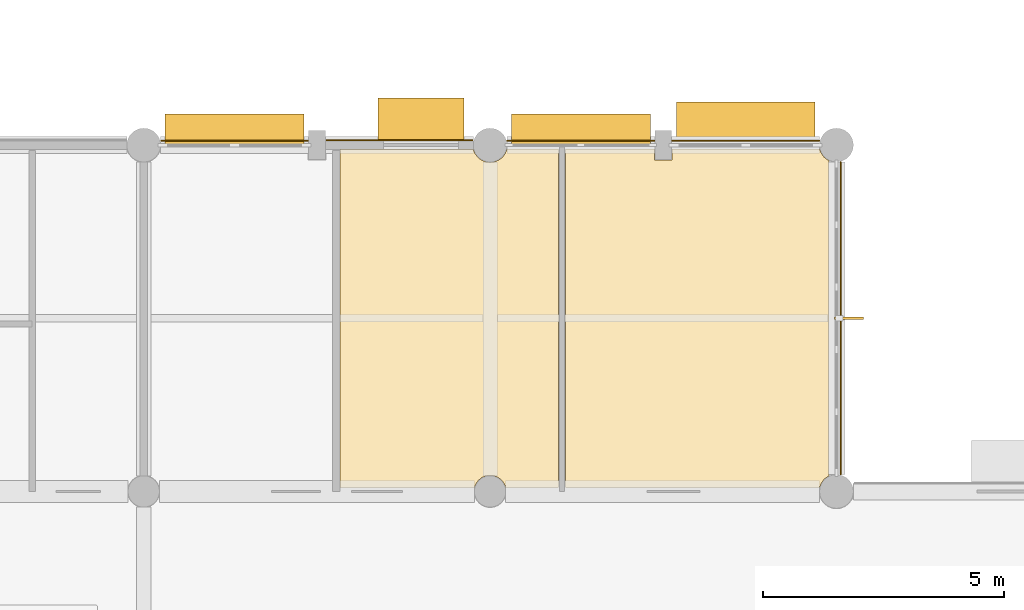
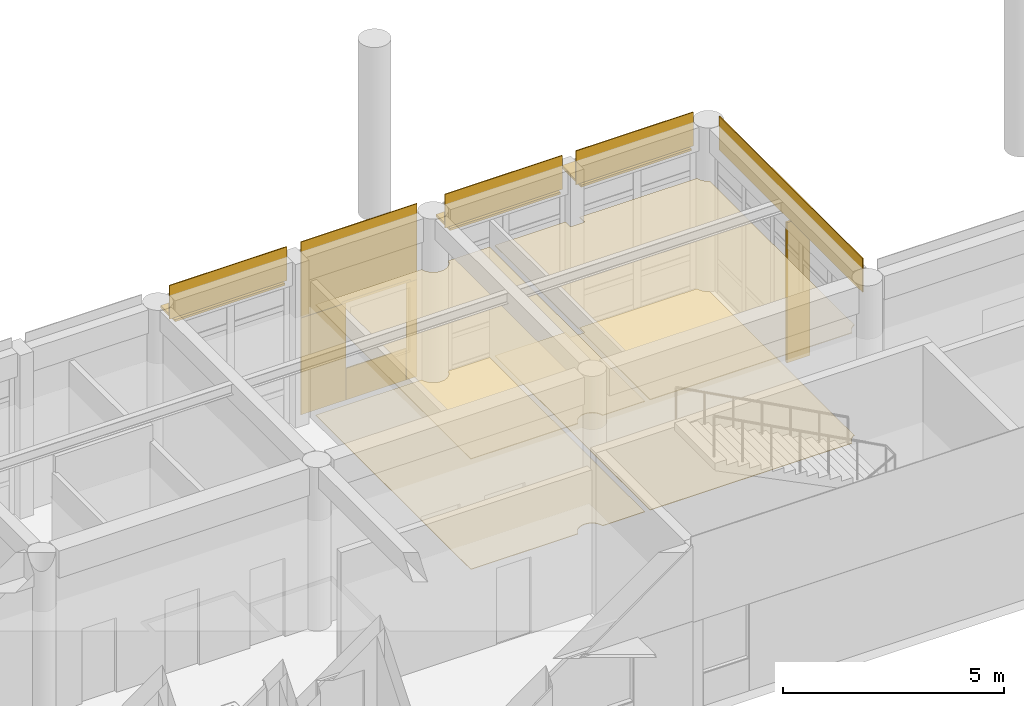
# One storey, part 87 of 92: 12 coverings, 5 shading devices.
"""IFC4 building model written with IfcOpenShell, lengths in metres."""

from ifc_helpers import new_model, si_unit, direction, frame, origin, origin_2d, place, context, subcontext, project, spatial, polyline, rectangle, outline, extrude, material, layer, layer_set, type_object, element, save


model = new_model("IFC4")

# Units and contexts
model_context = context("Model", 3, precision=1e-05, world=origin(), true_north=direction((0.0, 1.0)))
body_context = subcontext(model_context, "Body", "Model", "MODEL_VIEW")
ifc_project = project(units=[si_unit("LENGTHUNIT", "METRE"), si_unit("AREAUNIT", "SQUARE_METRE"), si_unit("VOLUMEUNIT", "CUBIC_METRE"), si_unit("PLANEANGLEUNIT", "RADIAN"), si_unit("MASSUNIT", "GRAM", prefix="KILO")], contexts=[model_context])

# Site, building, storey
site_placement = place(None, origin())
site = spatial("IfcSite", under=ifc_project, at=site_placement, CompositionType="ELEMENT")
building_placement = place(site_placement, origin())
building = spatial("IfcBuilding", under=site, at=building_placement, Name="Namkhue Oval Health Centre", CompositionType="ELEMENT")
storey_placement = place(building_placement, frame((0.0, 0.0, 4.800048828125)))
storey = spatial("IfcBuildingStorey", under=building, at=storey_placement, Name="L01", CompositionType="ELEMENT", Elevation=4.800048828125)

# Coverings
ifc_material_1 = material(Name="Acoustic mineral-fibre cleanroom ceiling", Category="gypsum")
ifc_layer_1 = layer(ifc_material_1, 0.02001953125)
ifc_layer_set_1 = layer_set([ifc_layer_1], Name="Acoustic mineral-fibre cleanroom ceiling")
covering_type_1 = type_object("IfcCoveringType", Name="ACOUSTIC CLEANROOM CEILING 20", PredefinedType="CEILING", material=ifc_layer_set_1)
covering_1_placement = place(storey_placement, frame((0.0, 0.0, 3.050048828125)))
element("IfcCovering", 1, at=covering_1_placement, inside=storey, type_object=covering_type_1, Name="Acoustic Ceiling L01-307 ENT Minor Procedure Room", PredefinedType="CEILING", context=body_context, shape_type="SweptSolid", body=[
    extrude(outline(polyline([(115.5244140625, 97.280029296875), (115.489990234375, 97.367431640625), (115.43701171875, 97.43701171875), (115.367431640625, 97.489990234375), (115.28662109375, 97.523681640625), (115.199951171875, 97.534912109375), (115.11328125, 97.523681640625), (115.032470703125, 97.489990234375), (114.963134765625, 97.43701171875), (114.909912109375, 97.367431640625), (114.87548828125, 97.280029296875), (112.074951171875, 97.280029296875), (112.074951171875, 104.31494140625), (114.851318359375, 104.31494140625), (114.88818359375, 104.219970703125), (114.9453125, 104.1455078125), (115.02001953125, 104.088134765625), (115.106689453125, 104.05224609375), (115.199951171875, 104.0400390625), (115.293212890625, 104.05224609375), (115.3798828125, 104.088134765625), (115.45458984375, 104.1455078125), (115.51171875, 104.219970703125), (115.548828125, 104.31494140625), (116.625, 104.31494140625), (116.625, 97.280029296875), (115.5244140625, 97.280029296875)])), origin(), (0.0, 0.0, 1.0), 0.02001953125),
])
covering_2_placement = place(storey_placement, frame((0.0, 0.0, 3.050048828125)))
element("IfcCovering", 2, at=covering_2_placement, inside=storey, type_object=covering_type_1, Name="Acoustic Ceiling L01-308 Neurology Consultation Room", PredefinedType="CEILING", context=body_context, shape_type="SweptSolid", body=[
    extrude(outline(polyline([(116.764892578125, 97.280029296875), (116.764892578125, 104.31494140625), (118.614990234375, 104.31494140625), (118.614990234375, 104.090087890625), (118.985107421875, 104.090087890625), (118.985107421875, 104.31494140625), (122.05126953125, 104.31494140625), (122.088134765625, 104.219970703125), (122.1455078125, 104.1455078125), (122.219970703125, 104.088134765625), (122.2451171875, 104.077880859375), (122.2451171875, 97.522216796875), (122.219970703125, 97.51171875), (122.1455078125, 97.45458984375), (122.088134765625, 97.3798828125), (122.05224609375, 97.293212890625), (122.050537109375, 97.280029296875), (116.764892578125, 97.280029296875)])), origin(), (0.0, 0.0, 1.0), 0.02001953125),
])
ifc_material_2 = material(Name="Homogeneous anti-bacterial clinical vinyl flooring", Category="plastic")
ifc_layer_2 = layer(ifc_material_2, 0.014892578125)
ifc_layer_set_2 = layer_set([ifc_layer_2], Name="Homogeneous anti-bacterial clinical vinyl flooring")
covering_type_2 = type_object("IfcCoveringType", Name="CLINICAL ANTIBACTERIAL VINYL FLOORING 15", PredefinedType="FLOORING", material=ifc_layer_set_2)
covering_3_placement = place(storey_placement, origin())
element("IfcCovering", 3, at=covering_3_placement, inside=storey, type_object=covering_type_2, Name="Clinical Flooring L01-307 ENT Minor Procedure Room", PredefinedType="FLOORING", context=body_context, shape_type="SweptSolid", body=[
    extrude(outline(polyline([(115.5244140625, 97.280029296875), (115.489990234375, 97.367431640625), (115.43701171875, 97.43701171875), (115.367431640625, 97.489990234375), (115.28662109375, 97.523681640625), (115.199951171875, 97.534912109375), (115.11328125, 97.523681640625), (115.032470703125, 97.489990234375), (114.963134765625, 97.43701171875), (114.909912109375, 97.367431640625), (114.87548828125, 97.280029296875), (112.074951171875, 97.280029296875), (112.074951171875, 104.31494140625), (114.851318359375, 104.31494140625), (114.88818359375, 104.219970703125), (114.9453125, 104.1455078125), (115.02001953125, 104.088134765625), (115.106689453125, 104.05224609375), (115.199951171875, 104.0400390625), (115.293212890625, 104.05224609375), (115.3798828125, 104.088134765625), (115.45458984375, 104.1455078125), (115.51171875, 104.219970703125), (115.548828125, 104.31494140625), (116.625, 104.31494140625), (116.625, 97.280029296875), (115.5244140625, 97.280029296875)])), origin(), (0.0, 0.0, 1.0), 0.014892578125),
])
covering_4_placement = place(storey_placement, origin())
element("IfcCovering", 4, at=covering_4_placement, inside=storey, type_object=covering_type_2, Name="Clinical Flooring L01-308 Neurology Consultation Room", PredefinedType="FLOORING", context=body_context, shape_type="SweptSolid", body=[
    extrude(outline(polyline([(116.764892578125, 97.280029296875), (116.764892578125, 104.31494140625), (118.614990234375, 104.31494140625), (118.614990234375, 104.090087890625), (118.985107421875, 104.090087890625), (118.985107421875, 104.31494140625), (122.05126953125, 104.31494140625), (122.088134765625, 104.219970703125), (122.1455078125, 104.1455078125), (122.219970703125, 104.088134765625), (122.2451171875, 104.077880859375), (122.2451171875, 97.522216796875), (122.219970703125, 97.51171875), (122.1455078125, 97.45458984375), (122.088134765625, 97.3798828125), (122.05224609375, 97.293212890625), (122.050537109375, 97.280029296875), (116.764892578125, 97.280029296875)])), origin(), (0.0, 0.0, 1.0), 0.014892578125),
])

# Shading devices
ifc_material_3 = material(Name="Anodised aluminium EN AW-6063 T6", Category="aluminium")
ifc_layer_3 = layer(ifc_material_3, 0.06005859375)
ifc_layer_set_3 = layer_set([ifc_layer_3], Name="Anodised aluminium EN AW-6063 T6")
shading_device_type_1 = type_object("IfcShadingDeviceType", Name="MONSOON SUN LOUVRE 900", PredefinedType="JALOUSIE", material=ifc_layer_set_3)
shading_device_1_placement = place(storey_placement, frame((120.512939453125, 104.85009765625, 3.809814453125), z_axis=(0.0, 0.0, 1.0), x_axis=(-1.0, 0.0, 0.0)))
element("IfcShadingDevice", 5, at=shading_device_1_placement, inside=storey, type_object=shading_device_type_1, Name="Volume V3 L01 Horizontal Monsoon Sun Louvre 136", PredefinedType="JALOUSIE", context=body_context, shape_type="SweptSolid", body=[
    extrude(rectangle(XDim=2.884033203125, YDim=0.89990234375, at=origin_2d()), origin(), (0.0, 0.0, 1.0), 0.06005859375),
])
shading_device_2_placement = place(storey_placement, frame((113.762939453125, 104.929931640625, 2.699951171875), z_axis=(0.0, 0.0, 1.0), x_axis=(-1.0, 0.0, 0.0)))
element("IfcShadingDevice", 6, at=shading_device_2_placement, inside=storey, type_object=shading_device_type_1, Name="Volume V3 L01 Window Monsoon Louvre 138", PredefinedType="JALOUSIE", context=body_context, shape_type="SweptSolid", body=[
    extrude(rectangle(XDim=1.7900390625, YDim=0.89990234375, at=origin_2d()), origin(), (0.0, 0.0, 1.0), 0.06005859375),
])
ifc_layer_4 = layer(ifc_material_3, 0.050048828125)
ifc_layer_set_4 = layer_set([ifc_layer_4], Name="Anodised aluminium EN AW-6063 T6")
shading_device_type_2 = type_object("IfcShadingDeviceType", Name="STORM SHUTTER LOUVRE 650", PredefinedType="SHUTTER", material=ifc_layer_set_4)
for number, where, z_axis, x_axis, name in (
    (7, (117.0869140625, 104.72509765625, 3.809814453125), (0.0, 0.0, 1.0), (-1.0, 0.0, 0.0), "Volume V3 L01 Horizontal Monsoon Sun Louvre 137"),
    (8, (109.886962890625, 104.72509765625, 3.809814453125), (0.0, 0.0, 1.0), (-1.0, 0.0, 0.0), "Volume V3 L01 Horizontal Monsoon Sun Louvre 139"),
):
    element("IfcShadingDevice", number, at=place(storey_placement, frame(where, z_axis=z_axis, x_axis=x_axis)), inside=storey, type_object=shading_device_type_2, Name=name, PredefinedType="SHUTTER", context=body_context, shape_type="SweptSolid", body=[
        extrude(rectangle(XDim=2.884033203125, YDim=0.64990234375, at=origin_2d()), origin(), (0.0, 0.0, 1.0), 0.06005859375),
    ])
shading_device_type_3 = type_object("IfcShadingDeviceType", Name="VERTICAL SOLAR FIN 600", PredefinedType="USERDEFINED", material=ifc_material_3)
shading_device_3_placement = place(storey_placement, frame((122.659912109375, 100.800048828125, 0.0), z_axis=(0.0, 0.0, 1.0), x_axis=(1.0, 0.0, 0.0)))
element("IfcShadingDevice", 9, at=shading_device_3_placement, inside=storey, type_object=shading_device_type_3, Name="Volume V3 L01 Extruded Aluminium Solar Fin 135", ObjectType="SOLAR FIN", PredefinedType="USERDEFINED", context=body_context, shape_type="SweptSolid", body=[
    extrude(rectangle(XDim=0.60009765625, YDim=0.06005859375, at=origin_2d()), origin(), (0.0, 0.0, 1.0), 3.8798828125),
])

# Coverings
ifc_material_4 = material(Name="White glass-fibre reinforced concrete GRC rainscreen cladding", Category="concrete")
ifc_layer_5 = layer(ifc_material_4, 0.02490234375)
ifc_layer_set_5 = layer_set([ifc_layer_5], Name="White glass-fibre reinforced concrete GRC rainscreen cladding")
covering_type_3 = type_object("IfcCoveringType", Name="WHITE GRC RAINSCREEN CLADDING 25", PredefinedType="CLADDING", material=ifc_layer_set_5)
covering_5_placement = place(storey_placement, frame((122.488525390625, 100.800048828125, 3.864990234375), z_axis=(0.0, 0.0, 1.0), x_axis=(0.0, 1.0, 0.0)))
element("IfcCovering", 10, at=covering_5_placement, inside=storey, type_object=covering_type_3, Name="Volume V3 L01 Curtain Wall Spandrel Cladding 103", PredefinedType="CLADDING", context=body_context, shape_type="SweptSolid", body=[
    extrude(rectangle(XDim=6.5, YDim=0.02490234375, at=origin_2d()), origin(), (0.0, 0.0, 1.0), 0.93505859375),
])
for number, where, z_axis, x_axis, name in (
    (11, (120.512939453125, 104.488525390625, 3.864990234375), (0.0, 0.0, 1.0), (-1.0, 0.0, 0.0), "Volume V3 L01 Curtain Wall Spandrel Cladding 104"),
    (12, (117.0869140625, 104.488525390625, 3.864990234375), (0.0, 0.0, 1.0), (-1.0, 0.0, 0.0), "Volume V3 L01 Curtain Wall Spandrel Cladding 105"),
):
    element("IfcCovering", number, at=place(storey_placement, frame(where, z_axis=z_axis, x_axis=x_axis)), inside=storey, type_object=covering_type_3, Name=name, PredefinedType="CLADDING", context=body_context, shape_type="SweptSolid", body=[
        extrude(rectangle(XDim=3.073974609375, YDim=0.02490234375, at=origin_2d()), origin(), (0.0, 0.0, 1.0), 0.93505859375),
    ])
covering_6_placement = place(storey_placement, frame((113.31298828125, 104.501953125, 2.69482421875), z_axis=(0.0, 0.0, 1.0), x_axis=(-1.0, 0.0, 0.0)))
element("IfcCovering", 13, at=covering_6_placement, inside=storey, type_object=covering_type_3, Name="Volume V3 L01 Facade 65 White GRC Cladding 1", PredefinedType="CLADDING", context=body_context, shape_type="SweptSolid", body=[
    extrude(rectangle(XDim=3.0439453125, YDim=0.02490234375, at=origin_2d()), origin(), (0.0, 0.0, 1.0), 2.094970703125),
])
covering_7_placement = place(storey_placement, frame((114.694091796875, 104.501953125, 0.009765625), z_axis=(0.0, 0.0, 1.0), x_axis=(-1.0, 0.0, 0.0)))
element("IfcCovering", 14, at=covering_7_placement, inside=storey, type_object=covering_type_3, Name="Volume V3 L01 Facade 65 White GRC Cladding 2", PredefinedType="CLADDING", context=body_context, shape_type="SweptSolid", body=[
    extrude(rectangle(XDim=0.281982421875, YDim=0.02490234375, at=origin_2d()), origin(), (0.0, 0.0, 1.0), 2.679931640625),
])
covering_8_placement = place(storey_placement, frame((113.762939453125, 104.501953125, 0.010009765625), z_axis=(0.0, 0.0, 1.0), x_axis=(-1.0, 0.0, 0.0)))
element("IfcCovering", 15, at=covering_8_placement, inside=storey, type_object=covering_type_3, Name="Volume V3 L01 Facade 65 White GRC Cladding 3", PredefinedType="CLADDING", context=body_context, shape_type="SweptSolid", body=[
    extrude(rectangle(XDim=1.570068359375, YDim=0.02490234375, at=origin_2d()), origin(), (0.0, 0.0, 1.0), 0.875),
])
covering_9_placement = place(storey_placement, frame((112.382080078125, 104.501953125, 0.009765625), z_axis=(0.0, 0.0, 1.0), x_axis=(-1.0, 0.0, 0.0)))
element("IfcCovering", 16, at=covering_9_placement, inside=storey, type_object=covering_type_3, Name="Volume V3 L01 Facade 65 White GRC Cladding 4", PredefinedType="CLADDING", context=body_context, shape_type="SweptSolid", body=[
    extrude(rectangle(XDim=1.181884765625, YDim=0.02490234375, at=origin_2d()), origin(), (0.0, 0.0, 1.0), 2.679931640625),
])
covering_10_placement = place(storey_placement, frame((109.886962890625, 104.488525390625, 3.864990234375), z_axis=(0.0, 0.0, 1.0), x_axis=(-1.0, 0.0, 0.0)))
element("IfcCovering", 17, at=covering_10_placement, inside=storey, type_object=covering_type_3, Name="Volume V3 L01 Curtain Wall Spandrel Cladding 106", PredefinedType="CLADDING", context=body_context, shape_type="SweptSolid", body=[
    extrude(rectangle(XDim=3.073974609375, YDim=0.02490234375, at=origin_2d()), origin(), (0.0, 0.0, 1.0), 0.93505859375),
])

save(model, "model.ifc")
